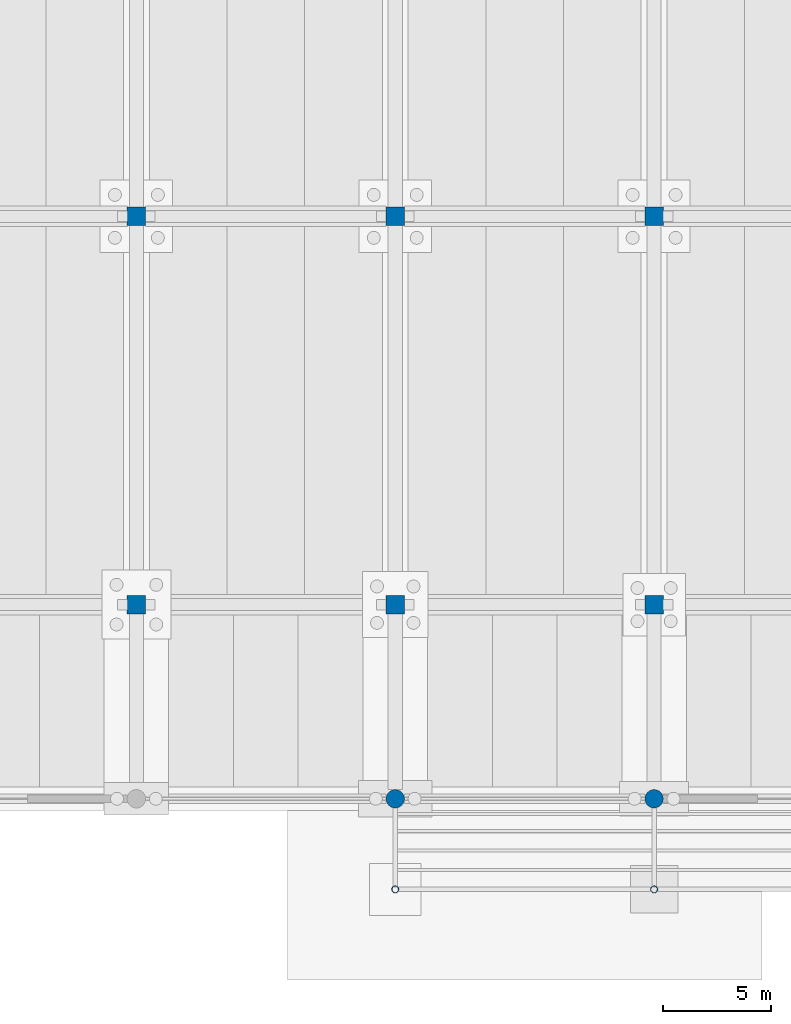
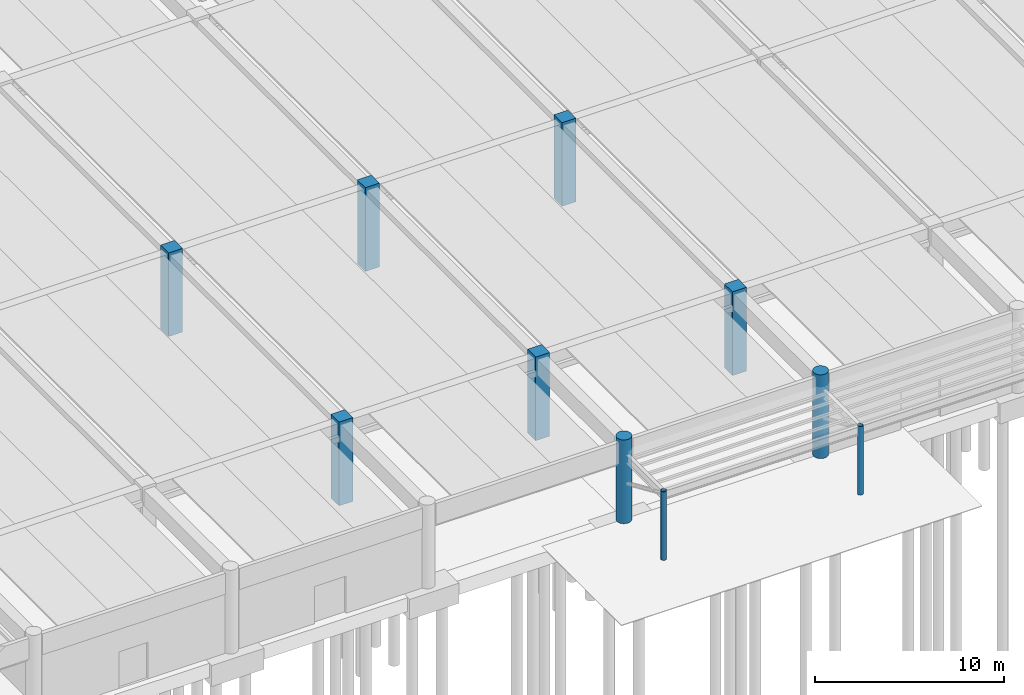
# One storey, part 9 of 59: 10 columns.
"""IFC4 building model written with IfcOpenShell, lengths in metres."""

from ifc_helpers import new_model, si_unit, direction, frame, origin, origin_2d, place, context, subcontext, project, spatial, rectangle, circle, hollow_circle, extrude, material, material_profile, profile_set, type_object, element, save


model = new_model("IFC4")

# Units and contexts
model_context = context("Model", 3, precision=1e-05, world=origin(), true_north=direction((0.0, 1.0)))
body_context = subcontext(model_context, "Body", "Model", "MODEL_VIEW")
ifc_project = project(units=[si_unit("LENGTHUNIT", "METRE"), si_unit("AREAUNIT", "SQUARE_METRE"), si_unit("VOLUMEUNIT", "CUBIC_METRE"), si_unit("PLANEANGLEUNIT", "RADIAN"), si_unit("MASSUNIT", "GRAM", prefix="KILO")], contexts=[model_context])

# Site, building, storey
site_placement = place(None, origin())
site = spatial("IfcSite", under=ifc_project, at=site_placement, CompositionType="ELEMENT")
building_placement = place(site_placement, origin())
building = spatial("IfcBuilding", under=site, at=building_placement, Name="Girod Span Mobility Hub", CompositionType="ELEMENT")
storey_placement = place(building_placement, origin())
storey = spatial("IfcBuildingStorey", under=building, at=storey_placement, Name="L00", CompositionType="ELEMENT", Elevation=0.0)

# Columns
ifc_material_1 = material(Name="Concrete C40/50", Category="concrete")
ifc_material_profile_1 = material_profile(ifc_material_1, rectangle(XDim=0.85009765625, YDim=0.85009765625, at=origin_2d()), Name="PC-COL-850X850")
ifc_profile_set_1 = profile_set([ifc_material_profile_1], Name="Concrete C40/50")
column_type_1 = type_object("IfcColumnType", Name="COL-PC-850X850", PredefinedType="COLUMN", material=ifc_profile_set_1)
for number, where, z_axis, x_axis, name in (
    (1, (96.0, 9.0, 0.0), (0.0, 0.0, 1.0), (1.0, 0.0, 0.0), "Column 9B L00"),
    (2, (96.0, 27.0, 0.0), (0.0, 0.0, 1.0), (1.0, 0.0, 0.0), "Column 9C L00"),
    (3, (108.0, 9.0, 0.0), (0.0, 0.0, 1.0), (1.0, 0.0, 0.0), "Column 10B L00"),
    (4, (108.0, 27.0, 0.0), (0.0, 0.0, 1.0), (1.0, 0.0, 0.0), "Column 10C L00"),
    (5, (120.0, 9.0, 0.0), (0.0, 0.0, 1.0), (1.0, 0.0, 0.0), "Column 11B L00"),
    (6, (120.0, 27.0, 0.0), (0.0, 0.0, 1.0), (1.0, 0.0, 0.0), "Column 11C L00"),
):
    element("IfcColumn", number, at=place(storey_placement, frame(where, z_axis=z_axis, x_axis=x_axis)), inside=storey, type_object=column_type_1, Name=name, PredefinedType="COLUMN", context=body_context, shape_type="SweptSolid", body=[
        extrude(rectangle(XDim=0.85009765625, YDim=0.85009765625, at=origin_2d()), origin(), (0.0, 0.0, 1.0), 5.39990234375),
    ])
ifc_material_2 = material(Name="Concrete C40/50", Category="concrete")
ifc_material_profile_2 = material_profile(ifc_material_2, circle(Radius=0.425048828125, at=origin_2d()), Name="PC-CIR-D850")
ifc_profile_set_2 = profile_set([ifc_material_profile_2], Name="Concrete C40/50")
column_type_2 = type_object("IfcColumnType", Name="COL-PC-D850", PredefinedType="COLUMN", material=ifc_profile_set_2)
for number, where, z_axis, x_axis, name in (
    (7, (108.0, 0.0, 0.0), (0.0, 0.0, 1.0), (1.0, 0.0, 0.0), "Column 10A L00"),
    (8, (120.0, 0.0, 0.0), (0.0, 0.0, 1.0), (1.0, 0.0, 0.0), "Column 11A L00"),
):
    element("IfcColumn", number, at=place(storey_placement, frame(where, z_axis=z_axis, x_axis=x_axis)), inside=storey, type_object=column_type_2, Name=name, PredefinedType="COLUMN", context=body_context, shape_type="SweptSolid", body=[
        extrude(circle(Radius=0.425048828125, at=origin_2d()), origin(), (0.0, 0.0, 1.0), 5.39990234375),
    ])
ifc_material_3 = material(Name="Steel HSS A500 Grade C", Category="steel")
ifc_material_profile_3 = material_profile(ifc_material_3, hollow_circle(Radius=0.162109375, WallThickness=0.01171875, at=origin_2d()), Name="HSS324X12.7")
ifc_profile_set_3 = profile_set([ifc_material_profile_3], Name="Steel HSS A500 Grade C")
column_type_3 = type_object("IfcColumnType", Name="COL-STL-HSS324", PredefinedType="COLUMN", material=ifc_profile_set_3)
for number, where, z_axis, x_axis, name in (
    (9, (108.0, -4.199951171875, 0.0), (0.0, 0.0, 1.0), (1.0, 0.0, 0.0), "Boulevard Canopy Column CN-5"),
    (10, (120.0, -4.199951171875, 0.0), (0.0, 0.0, 1.0), (1.0, 0.0, 0.0), "Boulevard Canopy Column CN-6"),
):
    element("IfcColumn", number, at=place(storey_placement, frame(where, z_axis=z_axis, x_axis=x_axis)), inside=storey, type_object=column_type_3, Name=name, PredefinedType="COLUMN", context=body_context, shape_type="SweptSolid", body=[
        extrude(hollow_circle(Radius=0.162109375, WallThickness=0.01171875, at=origin_2d()), origin(), (0.0, 0.0, 1.0), 4.419921875),
    ])

save(model, "model.ifc")
